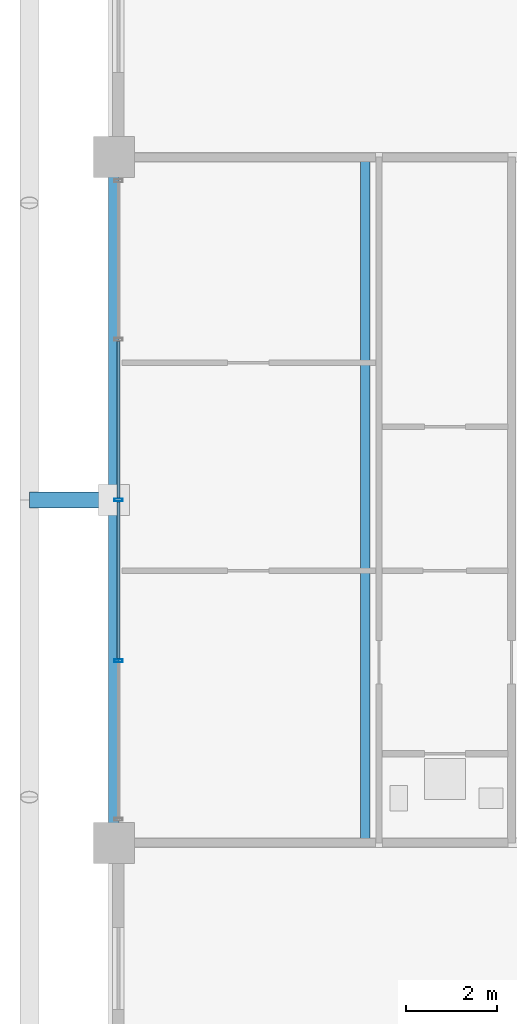
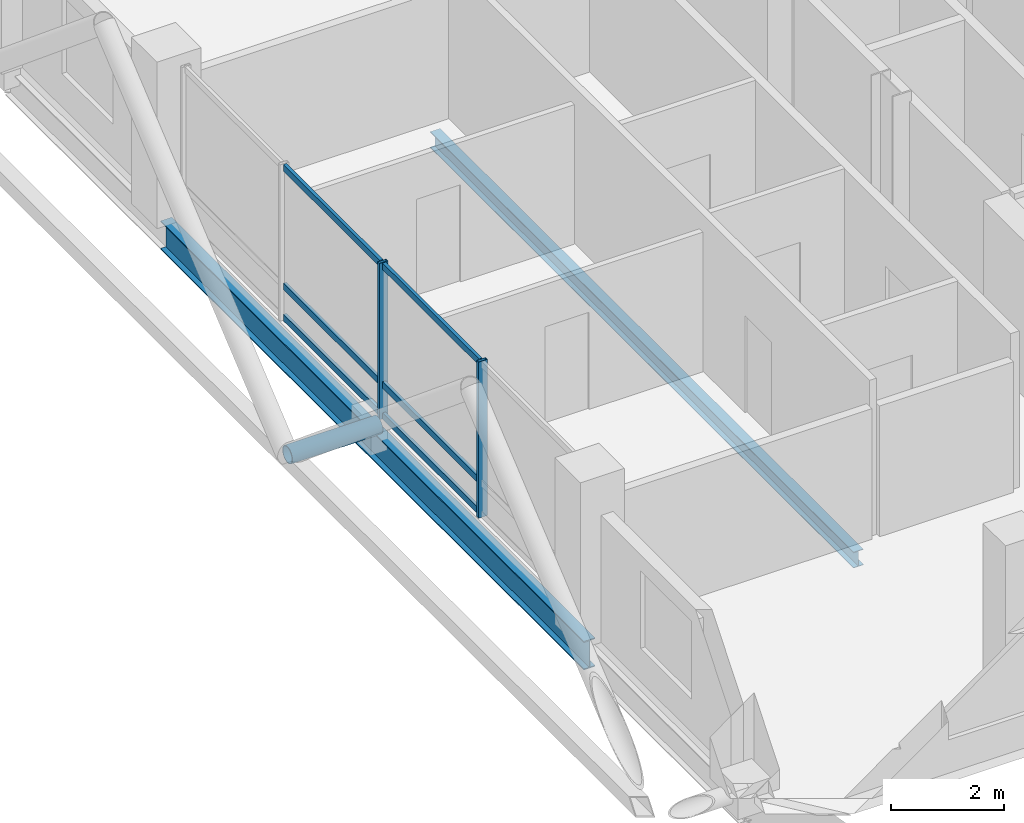
# One storey, part 8 of 24: 9 members, 2 beams, 1 element without a shape of its own.
"""IFC4 building model written with IfcOpenShell, lengths in metres."""

from ifc_helpers import new_model, si_unit, direction, frame, origin, origin_2d, place, context, subcontext, project, spatial, hollow_rectangle, hollow_circle, i_section, extrude, material, layer, layer_set, material_profile, profile_set, type_object, element, aggregate, save


model = new_model("IFC4")

# Units and contexts
model_context = context("Model", 3, precision=1e-05, world=origin(), true_north=direction((0.0, 1.0)))
body_context = subcontext(model_context, "Body", "Model", "MODEL_VIEW")
ifc_project = project(units=[si_unit("LENGTHUNIT", "METRE"), si_unit("AREAUNIT", "SQUARE_METRE"), si_unit("VOLUMEUNIT", "CUBIC_METRE"), si_unit("PLANEANGLEUNIT", "RADIAN"), si_unit("MASSUNIT", "GRAM", prefix="KILO")], contexts=[model_context])

# Site, building, storey
site_placement = place(None, origin())
site = spatial("IfcSite", under=ifc_project, at=site_placement, CompositionType="ELEMENT")
building_placement = place(site_placement, origin())
building = spatial("IfcBuilding", under=site, at=building_placement, Name="Barlavira Tower and Art Museum", CompositionType="ELEMENT")
storey_placement = place(building_placement, frame((0.0, 0.0, 251.10009765625)))
storey = spatial("IfcBuildingStorey", under=building, at=storey_placement, Name="L65", CompositionType="ELEMENT", Elevation=251.10009765625)

# Curtain wall, members
ifc_material_1 = material(Name="Low-iron coastal laminated glass", Category="glass")
ifc_layer = layer(ifc_material_1, 0.2099609375, Name="Low-iron coastal laminated glass")
ifc_layer_set = layer_set([ifc_layer], Name="Low-iron coastal laminated glass")
curtain_wall_type = type_object("IfcCurtainWallType", Name="Pale-Metal Unitised Curtain Wall Zone 4", PredefinedType="NOTDEFINED", material=ifc_layer_set)
curtain_wall_placement = place(storey_placement, origin())
curtain_wall = element("IfcCurtainWall", 1, at=curtain_wall_placement, inside=storey, type_object=curtain_wall_type, Name="L65 Curtain Wall CW4-L65-W-B3", PredefinedType="NOTDEFINED")
ifc_material_2 = material(Name="Pale anodised aluminium", Category="aluminium")
ifc_material_profile_1 = material_profile(ifc_material_2, hollow_rectangle(XDim=0.06494140625, YDim=0.179931640625, WallThickness=0.00390625, at=origin_2d()), Name="ALU-MULL 65x180x4")
ifc_profile_set_1 = profile_set([ifc_material_profile_1], Name="Pale anodised aluminium")
member_type_1 = type_object("IfcMemberType", Name="Curtain Wall Pale-Metal Mullion 65x180", PredefinedType="MULLION", material=ifc_profile_set_1)
member_1_placement = place(storey_placement, frame((-16.89990234375, 0.0, 0.0), z_axis=(0.0, 0.0, 1.0), x_axis=(0.0, -1.0, 0.0)))
member_1 = element("IfcMember", 2, at=member_1_placement, type_object=member_type_1, Name="CW4-L65-W-B3 Mullion 2", PredefinedType="MULLION", context=body_context, shape_type="SweptSolid", body=[
    extrude(hollow_rectangle(XDim=0.06494140625, YDim=0.179931640625, WallThickness=0.00390625, at=origin_2d()), origin(), (0.0, 0.0, 1.0), 3.3798828125),
])
member_2_placement = place(storey_placement, frame((-16.89990234375, -3.514892578125, 0.0), z_axis=(0.0, 0.0, 1.0), x_axis=(0.0, -1.0, 0.0)))
member_2 = element("IfcMember", 3, at=member_2_placement, type_object=member_type_1, Name="CW4-L65-W-B3 Mullion 3", PredefinedType="MULLION", context=body_context, shape_type="SweptSolid", body=[
    extrude(hollow_rectangle(XDim=0.06494140625, YDim=0.179931640625, WallThickness=0.00390625, at=origin_2d()), origin(), (0.0, 0.0, 1.0), 3.3798828125),
])
ifc_material_profile_2 = material_profile(ifc_material_2, hollow_rectangle(XDim=0.06494140625, YDim=0.139892578125, WallThickness=0.00390625, at=origin_2d()), Name="ALU-TRAN 65x140x4")
ifc_profile_set_2 = profile_set([ifc_material_profile_2], Name="Pale anodised aluminium")
member_type_2 = type_object("IfcMemberType", Name="Curtain Wall Pale-Metal Transom 65x140", PredefinedType="USERDEFINED", material=ifc_profile_set_2)
member_3_placement = place(storey_placement, frame((-16.89990234375, 3.469970703125, 0.06982421875), z_axis=(0.0, -1.0, 0.0), x_axis=(1.0, 0.0, 0.0)))
member_3 = element("IfcMember", 4, at=member_3_placement, type_object=member_type_2, Name="CW4-L65-W-B3 Transom 1.1", ObjectType="TRANSOM", PredefinedType="USERDEFINED", context=body_context, shape_type="SweptSolid", body=[
    extrude(hollow_rectangle(XDim=0.06494140625, YDim=0.139892578125, WallThickness=0.00390625, at=origin_2d()), origin(), (0.0, 0.0, 1.0), 3.425048828125),
])
member_4_placement = place(storey_placement, frame((-16.89990234375, 3.469970703125, 0.743896484375), z_axis=(0.0, -1.0, 0.0), x_axis=(1.0, 0.0, 0.0)))
member_4 = element("IfcMember", 5, at=member_4_placement, type_object=member_type_2, Name="CW4-L65-W-B3 Transom 1.2", ObjectType="TRANSOM", PredefinedType="USERDEFINED", context=body_context, shape_type="SweptSolid", body=[
    extrude(hollow_rectangle(XDim=0.06494140625, YDim=0.139892578125, WallThickness=0.00390625, at=origin_2d()), origin(), (0.0, 0.0, 1.0), 3.425048828125),
])
member_5_placement = place(storey_placement, frame((-16.89990234375, 3.469970703125, 3.309814453125), z_axis=(0.0, -1.0, 0.0), x_axis=(1.0, 0.0, 0.0)))
member_5 = element("IfcMember", 6, at=member_5_placement, type_object=member_type_2, Name="CW4-L65-W-B3 Transom 1.3", ObjectType="TRANSOM", PredefinedType="USERDEFINED", context=body_context, shape_type="SweptSolid", body=[
    extrude(hollow_rectangle(XDim=0.06494140625, YDim=0.139892578125, WallThickness=0.00390625, at=origin_2d()), origin(), (0.0, 0.0, 1.0), 3.425048828125),
])
member_6_placement = place(storey_placement, frame((-16.89990234375, -0.044921875, 0.06982421875), z_axis=(0.0, -1.0, 0.0), x_axis=(1.0, 0.0, 0.0)))
member_6 = element("IfcMember", 7, at=member_6_placement, type_object=member_type_2, Name="CW4-L65-W-B3 Transom 2.1", ObjectType="TRANSOM", PredefinedType="USERDEFINED", context=body_context, shape_type="SweptSolid", body=[
    extrude(hollow_rectangle(XDim=0.06494140625, YDim=0.139892578125, WallThickness=0.00390625, at=origin_2d()), origin(), (0.0, 0.0, 1.0), 3.425048828125),
])
member_7_placement = place(storey_placement, frame((-16.89990234375, -0.044921875, 0.743896484375), z_axis=(0.0, -1.0, 0.0), x_axis=(1.0, 0.0, 0.0)))
member_7 = element("IfcMember", 8, at=member_7_placement, type_object=member_type_2, Name="CW4-L65-W-B3 Transom 2.2", ObjectType="TRANSOM", PredefinedType="USERDEFINED", context=body_context, shape_type="SweptSolid", body=[
    extrude(hollow_rectangle(XDim=0.06494140625, YDim=0.139892578125, WallThickness=0.00390625, at=origin_2d()), origin(), (0.0, 0.0, 1.0), 3.425048828125),
])
member_8_placement = place(storey_placement, frame((-16.89990234375, -0.044921875, 3.309814453125), z_axis=(0.0, -1.0, 0.0), x_axis=(1.0, 0.0, 0.0)))
member_8 = element("IfcMember", 9, at=member_8_placement, type_object=member_type_2, Name="CW4-L65-W-B3 Transom 2.3", ObjectType="TRANSOM", PredefinedType="USERDEFINED", context=body_context, shape_type="SweptSolid", body=[
    extrude(hollow_rectangle(XDim=0.06494140625, YDim=0.139892578125, WallThickness=0.00390625, at=origin_2d()), origin(), (0.0, 0.0, 1.0), 3.425048828125),
])
aggregate(curtain_wall, [member_1, member_2, member_3, member_4, member_5, member_6, member_7, member_8])

# Member
ifc_material_3 = material(Name="Steel S355", Category="steel")
ifc_material_profile_3 = material_profile(ifc_material_3, hollow_circle(Radius=0.177734375, WallThickness=0.01611328125, at=origin_2d()), Name="CHS 355.6x16.0")
ifc_profile_set_3 = profile_set([ifc_material_profile_3], Name="Steel S355")
member_type_3 = type_object("IfcMemberType", Name="Pale-Metal Exoskeleton Tie Strut CHS 356x16 Steel S355", PredefinedType="STRUT", material=ifc_profile_set_3)
member_9_placement = place(storey_placement, frame((-18.85009765625, 0.0, -0.1201171875), z_axis=(1.0, 0.0, 0.0), x_axis=(0.0, 1.0, 0.0)))
element("IfcMember", 10, at=member_9_placement, inside=storey, type_object=member_type_3, Name="L65 Exoskeleton Tie Strut W2", PredefinedType="STRUT", context=body_context, shape_type="SweptSolid", body=[
    extrude(hollow_circle(Radius=0.177734375, WallThickness=0.01611328125, at=origin_2d()), origin(), (0.0, 0.0, 1.0), 1.85009765625),
])

# Beams
ifc_material_profile_4 = material_profile(ifc_material_3, i_section(OverallWidth=0.22998046875, OverallDepth=0.616943359375, WebThickness=0.01318359375, FlangeThickness=0.022216796875, at=origin_2d()), Name="W610x140.0")
ifc_profile_set_4 = profile_set([ifc_material_profile_4], Name="Steel S355")
beam_type_1 = type_object("IfcBeamType", Name="Upper Shaft Spandrel Edge Beam W610x140 Steel S355", PredefinedType="SPANDREL", material=ifc_profile_set_4)
beam_1_placement = place(storey_placement, frame((-17.0, -7.5, -0.528564453125), z_axis=(0.0, 1.0, 0.0), x_axis=(-1.0, 0.0, 0.0)))
element("IfcBeam", 11, at=beam_1_placement, inside=storey, type_object=beam_type_1, Name="L65 Spandrel 14", PredefinedType="SPANDREL", context=body_context, shape_type="SweptSolid", body=[
    extrude(i_section(OverallWidth=0.22998046875, OverallDepth=0.616943359375, WebThickness=0.01318359375, FlangeThickness=0.022216796875, at=origin_2d()), origin(), (0.0, 0.0, 1.0), 15.0),
])
ifc_material_profile_5 = material_profile(ifc_material_3, i_section(OverallWidth=0.202880859375, OverallDepth=0.346923828125, WebThickness=0.0078125, FlangeThickness=0.013427734375, at=origin_2d()), Name="W360x64.0")
ifc_profile_set_5 = profile_set([ifc_material_profile_5], Name="Steel S355")
beam_type_2 = type_object("IfcBeamType", Name="Zone 4 Composite Floor Joist W360x64 Steel S355", PredefinedType="JOIST", material=ifc_profile_set_5)
beam_2_placement = place(storey_placement, frame((-11.5, -7.5, -0.3935546875), z_axis=(0.0, 1.0, 0.0), x_axis=(-1.0, 0.0, 0.0)))
element("IfcBeam", 12, at=beam_2_placement, inside=storey, type_object=beam_type_2, Name="L65 Joist W1", PredefinedType="JOIST", context=body_context, shape_type="SweptSolid", body=[
    extrude(i_section(OverallWidth=0.202880859375, OverallDepth=0.346923828125, WebThickness=0.0078125, FlangeThickness=0.013427734375, at=origin_2d()), origin(), (0.0, 0.0, 1.0), 15.0),
])

save(model, "model.ifc")
